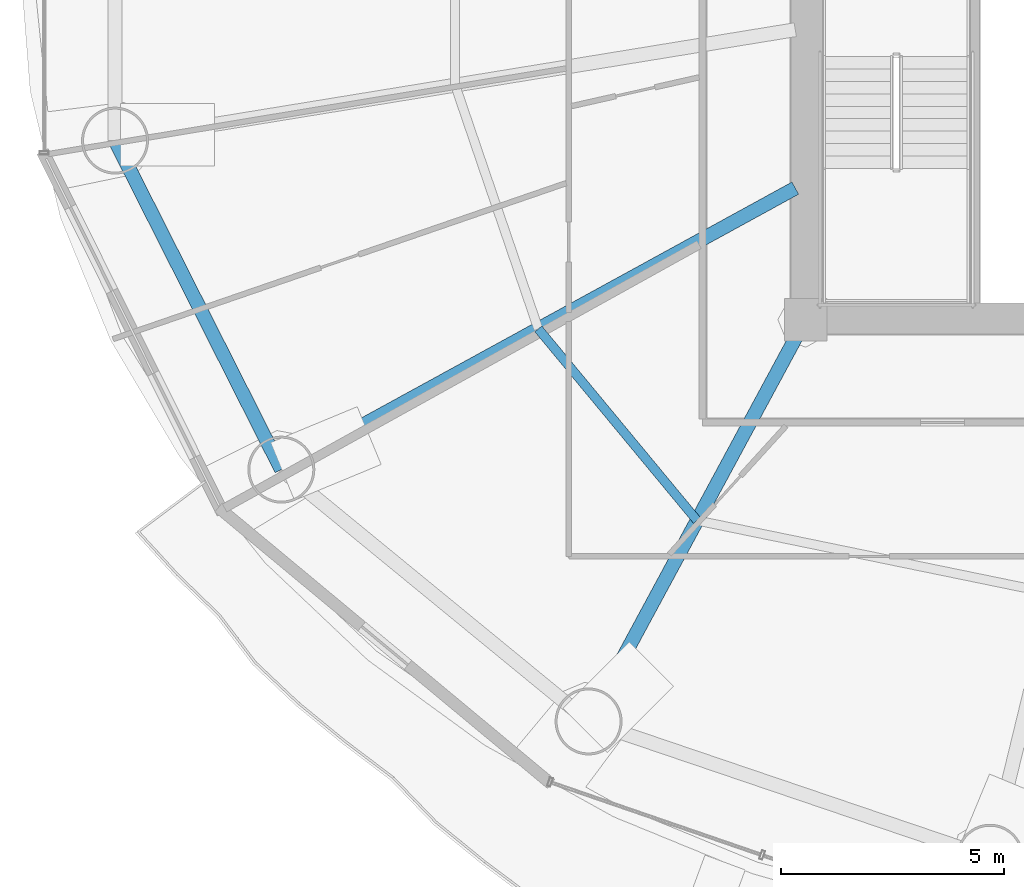
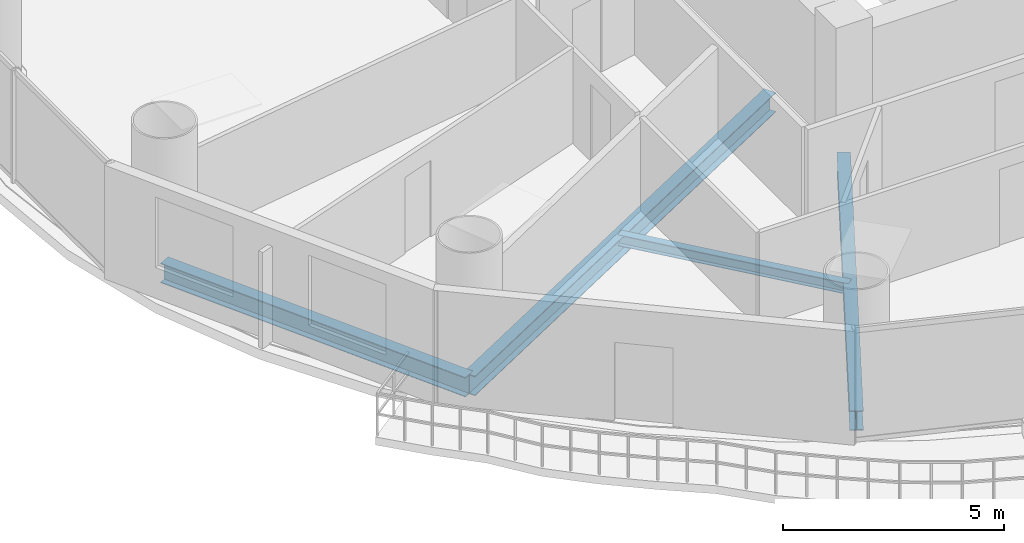
# One storey, part 3 of 29: 4 beams.
"""IFC4 building model written with IfcOpenShell, lengths in metres."""

import ifcopenshell
import ifcopenshell.guid

model = None  # the IFC model being written
_history = None  # IfcOwnerHistory: only IFC2X3 demands one
_inside = {}  # id of a spatial element -> (the spatial element, [elements in it])
_under = {}  # id of a project, library or spatial element -> (it, [spatial elements below it])
_declared = {}  # id of a project -> (the project, [libraries it declares])
_typed = {}  # id of a type object -> (the type object, [elements of that type])
_made_of = {}  # id of a material, layer set ... -> (it, [elements and type objects made of it])


def new_model(schema):
    """Start an empty IFC model of exactly this schema.

    Asked for "IFC4X3", IfcOpenShell would pick the latest addendum, in which some entities
    have other attributes; the version numbers below select the first issue.
    IFC2X3 requires an IfcOwnerHistory on every rooted entity: one is made here for all.
    """
    global model, _history
    if schema == "IFC4X3":
        model = ifcopenshell.file(schema_version=(4, 3, 0, 0))
    else:
        model = ifcopenshell.file(schema=schema)
    _inside.clear()
    _under.clear()
    _declared.clear()
    _typed.clear()
    _made_of.clear()
    _history = None
    if model.schema == "IFC2X3":
        org = make("IfcOrganization", Name="unknown")
        user = make(
            "IfcPersonAndOrganization",
            ThePerson=make("IfcPerson", FamilyName="unknown"),
            TheOrganization=org,
        )
        app = make(
            "IfcApplication",
            ApplicationDeveloper=org,
            Version="unknown",
            ApplicationFullName="unknown",
            ApplicationIdentifier="unknown",
        )
        _history = make(
            "IfcOwnerHistory",
            OwningUser=user,
            OwningApplication=app,
            ChangeAction="ADDED",
            CreationDate=0,
        )
    return model


def make(cls, **values):
    """One entity of the class cls with the attributes given. An attribute that is None is left unset."""
    return model.create_entity(
        cls, **{name: value for name, value in values.items() if value is not None}
    )


def rooted(cls, **values):
    """An entity with a GlobalId (a new one), such as an element, a storey or a relation."""
    return make(cls, GlobalId=ifcopenshell.guid.new(), OwnerHistory=_history, **values)


def si_unit(unit_type, name, prefix=None):
    """IfcSIUnit, for example si_unit("LENGTHUNIT", "METRE", prefix="MILLI")."""
    return make("IfcSIUnit", UnitType=unit_type, Prefix=prefix, Name=name)


def assignment(units):
    """IfcUnitAssignment: the units of a project."""
    return None if units is None else make("IfcUnitAssignment", Units=units)


def point(xyz):
    """IfcCartesianPoint."""
    return None if xyz is None else make("IfcCartesianPoint", Coordinates=xyz)


def direction(xyz):
    """IfcDirection."""
    return None if xyz is None else make("IfcDirection", DirectionRatios=xyz)


def frame(location, z_axis=None, x_axis=None):
    """IfcAxis2Placement3D, a coordinate frame: its origin and axes. An axis left out is left unset."""
    return make(
        "IfcAxis2Placement3D",
        Location=point(location),
        Axis=direction(z_axis),
        RefDirection=direction(x_axis),
    )


def frame_2d(location, x_axis=None):
    """IfcAxis2Placement2D, a coordinate frame in the plane: its origin and x axis."""
    return make(
        "IfcAxis2Placement2D", Location=point(location), RefDirection=direction(x_axis)
    )


def origin():
    """The frame at (0, 0, 0) with its axes left unset."""
    return frame((0.0, 0.0, 0.0))


def origin_2d():
    """The frame at (0, 0) in the plane with its x axis left unset."""
    return frame_2d((0.0, 0.0))


def place(relative_to, where):
    """IfcLocalPlacement: puts the frame where relative to a parent placement (None: the world)."""
    return make(
        "IfcLocalPlacement", PlacementRelTo=relative_to, RelativePlacement=where
    )


def context(
    kind, dimensions, precision=None, world=None, true_north=None, identifier=None
):
    """IfcGeometricRepresentationContext, for example the 3D "Model" context."""
    return make(
        "IfcGeometricRepresentationContext",
        ContextIdentifier=identifier,
        ContextType=kind,
        CoordinateSpaceDimension=dimensions,
        Precision=precision,
        WorldCoordinateSystem=world,
        TrueNorth=true_north,
    )


def subcontext(parent, identifier, kind, view, scale=None):
    """IfcGeometricRepresentationSubContext, for example "Body" below "Model"."""
    return make(
        "IfcGeometricRepresentationSubContext",
        ContextIdentifier=identifier,
        ContextType=kind,
        ParentContext=parent,
        TargetScale=scale,
        TargetView=view,
    )


def project(units=None, contexts=None):
    """IfcProject with its units and contexts."""
    return rooted(
        "IfcProject",
        Name="project",
        RepresentationContexts=contexts,
        UnitsInContext=assignment(units),
    )


def spatial(cls, under=None, at=None, **own):
    """A site, building, storey or space (cls), placed at a placement, below another one or the project."""
    s = rooted(cls, ObjectPlacement=at, **own)
    if under is not None:
        _under.setdefault(under.id(), (under, []))[1].append(s)
    return s


def profile(cls, at=None, kind="AREA", **sizes):
    """A parametric profile (cls). Its sizes go by their IFC names, for example OverallWidth=200.0."""
    return make(cls, ProfileType=kind, Position=at, **sizes)


def i_section(**sizes):
    """IfcIShapeProfileDef."""
    return profile("IfcIShapeProfileDef", **sizes)


def extrude(swept, where, along, depth):
    """IfcExtrudedAreaSolid: the profile swept, set in the frame where, extruded along a direction by depth."""
    return make(
        "IfcExtrudedAreaSolid",
        SweptArea=swept,
        Position=where,
        ExtrudedDirection=direction(along),
        Depth=depth,
    )


def shape(context_of_items, identifier, shape_type, items):
    """IfcShapeRepresentation: the items that make up one representation, for example the "Body"."""
    return make(
        "IfcShapeRepresentation",
        ContextOfItems=context_of_items,
        RepresentationIdentifier=identifier,
        RepresentationType=shape_type,
        Items=items,
    )


def material(Name=None, Category=None):
    """IfcMaterial."""
    return make("IfcMaterial", Name=Name, Category=Category)


def material_profile(
    of_material, cross_section, Name=None, Category=None, Priority=None
):
    """IfcMaterialProfile: a cross section and its material."""
    return make(
        "IfcMaterialProfile",
        Name=Name,
        Material=of_material,
        Profile=cross_section,
        Priority=Priority,
        Category=Category,
    )


def profile_set(profiles, Name=None, composite=None):
    """IfcMaterialProfileSet."""
    return make(
        "IfcMaterialProfileSet",
        Name=Name,
        MaterialProfiles=profiles,
        CompositeProfile=composite,
    )


def made_of(thing, what):
    """Note that an element or type object is made of a material, layer set ...; save() writes the relation."""
    if what is not None:
        _made_of.setdefault(what.id(), (what, []))[1].append(thing)
    return thing


def type_object(cls, material=None, **own):
    """A type object (cls), such as IfcWallType, which elements share."""
    return made_of(rooted(cls, **own), material)


def element(
    cls,
    number,
    at=None,
    inside=None,
    cuts=None,
    type_object=None,
    material=None,
    context=None,
    identifier="Body",
    shape_type=None,
    held_by="IfcProductDefinitionShape",
    body=None,
    shapes=None,
    **own,
):
    """One element of the class cls, such as IfcWall. Its Tag is "e" and its number.

    at: its placement. inside: the storey or other place that contains it. cuts: it is an
    opening in that element (IfcRelVoidsElement). A single representation is given by context,
    identifier, shape_type and body (its items); several are given by shapes. held_by: the class
    of the entity that holds the representations. save() writes the other relations.
    """
    e = rooted(cls, Tag="e%d" % number, ObjectPlacement=at, **own)
    if body is not None:
        shapes = [shape(context, identifier, shape_type, body)]
    if shapes is not None:
        e.Representation = make(held_by, Representations=shapes)
    if inside is not None:
        _inside.setdefault(inside.id(), (inside, []))[1].append(e)
    if cuts is not None:
        rooted(
            "IfcRelVoidsElement", RelatingBuildingElement=cuts, RelatedOpeningElement=e
        )
    if type_object is not None:
        _typed.setdefault(type_object.id(), (type_object, []))[1].append(e)
    return made_of(e, material)


def aggregate(whole, parts):
    """IfcRelAggregates: a whole, such as a stair, and the parts it consists of."""
    return rooted("IfcRelAggregates", RelatingObject=whole, RelatedObjects=parts)


def save(model, path):
    """Write the relations noted so far, then the file.

    IfcRelAggregates (storeys below a building ...), IfcRelContainedInSpatialStructure (elements
    in a storey), IfcRelDefinesByType, IfcRelAssociatesMaterial and IfcRelDeclares: one each for
    every whole, place, type object, material and project.
    """
    for whole, parts in _under.values():
        aggregate(whole, parts)
    for where, things in _inside.values():
        rooted(
            "IfcRelContainedInSpatialStructure",
            RelatedElements=things,
            RelatingStructure=where,
        )
    for kind, things in _typed.values():
        rooted("IfcRelDefinesByType", RelatedObjects=things, RelatingType=kind)
    for what, things in _made_of.values():
        rooted("IfcRelAssociatesMaterial", RelatedObjects=things, RelatingMaterial=what)
    for by, libraries in _declared.values():
        rooted("IfcRelDeclares", RelatingContext=by, RelatedDefinitions=libraries)
    model.write(path)


model = new_model("IFC4")

# Units and contexts
model_context = context("Model", 3, precision=1e-05, world=origin(), true_north=direction((-0.2419218956, 0.970295726276)))
body_context = subcontext(model_context, "Body", "Model", "MODEL_VIEW")
ifc_project = project(units=[si_unit("LENGTHUNIT", "METRE"), si_unit("AREAUNIT", "SQUARE_METRE"), si_unit("VOLUMEUNIT", "CUBIC_METRE"), si_unit("PLANEANGLEUNIT", "RADIAN"), si_unit("MASSUNIT", "GRAM", prefix="KILO")], contexts=[model_context])

# Site, building, storey
site_placement = place(None, origin())
site = spatial("IfcSite", under=ifc_project, at=site_placement, CompositionType="ELEMENT")
building_placement = place(site_placement, origin())
building = spatial("IfcBuilding", under=site, at=building_placement, Name="Cobrevalo Terracotta Tower", CompositionType="ELEMENT")
storey_placement = place(building_placement, frame((0.0, 0.0, 126.60009765625)))
storey = spatial("IfcBuildingStorey", under=building, at=storey_placement, Name="L33", CompositionType="ELEMENT", Elevation=126.60009765625)

# Beams
ifc_material = material(Name="Steel S355", Category="steel")
ifc_material_profile_1 = material_profile(ifc_material, i_section(OverallWidth=0.31201171875, OverallDepth=0.54296875, WebThickness=0.0126953125, FlangeThickness=0.020263671875, at=origin_2d()), Name="W 530x150")
ifc_profile_set_1 = profile_set([ifc_material_profile_1], Name="Steel S355")
beam_type_1 = type_object("IfcBeamType", Name="Structural Beam W 530x150 (Steel S355)", PredefinedType="BEAM", material=ifc_profile_set_1)
beam_1_placement = place(storey_placement, frame((17.2548828125, 15.4384765625, -0.546630859375), z_axis=(0.877072765004, 0.480357538599, 0.0), x_axis=(-0.480357538599, 0.877072765004, 0.0)))
element("IfcBeam", 1, at=beam_1_placement, inside=storey, type_object=beam_type_1, Name="L33 radial floor girder 10", PredefinedType="BEAM", context=body_context, shape_type="SweptSolid", body=[
    extrude(i_section(OverallWidth=0.31201171875, OverallDepth=0.54296875, WebThickness=0.0126953125, FlangeThickness=0.020263671875, at=origin_2d()), origin(), (0.0, 0.0, 1.0), 13.129150390625),
])
beam_2_placement = place(storey_placement, frame((24.138427734375, 9.79638671875, -0.546630859375), z_axis=(0.475118249298, 0.879921956303, 0.0), x_axis=(-0.879921956303, 0.475118249298, 0.0)))
element("IfcBeam", 2, at=beam_2_placement, inside=storey, type_object=beam_type_1, Name="L33 radial floor girder 11", PredefinedType="BEAM", context=body_context, shape_type="SweptSolid", body=[
    extrude(i_section(OverallWidth=0.31201171875, OverallDepth=0.54296875, WebThickness=0.0126953125, FlangeThickness=0.020263671875, at=origin_2d()), origin(), (0.0, 0.0, 1.0), 10.232421875),
])
ifc_material_profile_2 = material_profile(ifc_material, i_section(OverallWidth=0.2041015625, OverallDepth=0.305908203125, WebThickness=0.008544921875, FlangeThickness=0.0146484375, at=origin_2d()), Name="W 310x67")
ifc_profile_set_2 = profile_set([ifc_material_profile_2], Name="Steel S355")
beam_type_2 = type_object("IfcBeamType", Name="Structural Joist W 310x67 (Steel S355)", PredefinedType="JOIST", material=ifc_profile_set_2)
beam_3_placement = place(storey_placement, frame((23.012451171875, 18.591796875, -0.427978515625), z_axis=(0.6379592588, -0.77007011636, 0.0), x_axis=(0.77007011636, 0.6379592588, 0.0)))
element("IfcBeam", 3, at=beam_3_placement, inside=storey, type_object=beam_type_2, Name="L33 circumferential secondary floor joist 10", PredefinedType="JOIST", context=body_context, shape_type="SweptSolid", body=[
    extrude(i_section(OverallWidth=0.2041015625, OverallDepth=0.305908203125, WebThickness=0.008544921875, FlangeThickness=0.0146484375, at=origin_2d()), origin(), (0.0, 0.0, 1.0), 5.575439453125),
])
ifc_material_profile_3 = material_profile(ifc_material, i_section(OverallWidth=0.31201171875, OverallDepth=0.54296875, WebThickness=0.0126953125, FlangeThickness=0.020263671875, at=origin_2d()), Name="W 530x150")
ifc_profile_set_3 = profile_set([ifc_material_profile_3], Name="Steel S355")
beam_type_3 = type_object("IfcBeamType", Name="Structural Spandrel W 530x150 (Steel S355)", PredefinedType="SPANDREL", material=ifc_profile_set_3)
beam_4_placement = place(storey_placement, frame((13.529296875, 22.810302734375, -0.546630859375), z_axis=(0.451051982172, -0.892497680321, 0.0), x_axis=(0.892497680321, 0.451051982172, 0.0)))
element("IfcBeam", 4, at=beam_4_placement, inside=storey, type_object=beam_type_3, Name="L33 perimeter ring spandrel 09", PredefinedType="SPANDREL", context=body_context, shape_type="SweptSolid", body=[
    extrude(i_section(OverallWidth=0.31201171875, OverallDepth=0.54296875, WebThickness=0.0126953125, FlangeThickness=0.020263671875, at=origin_2d()), origin(), (0.0, 0.0, 1.0), 8.259765625),
])

save(model, "model.ifc")
